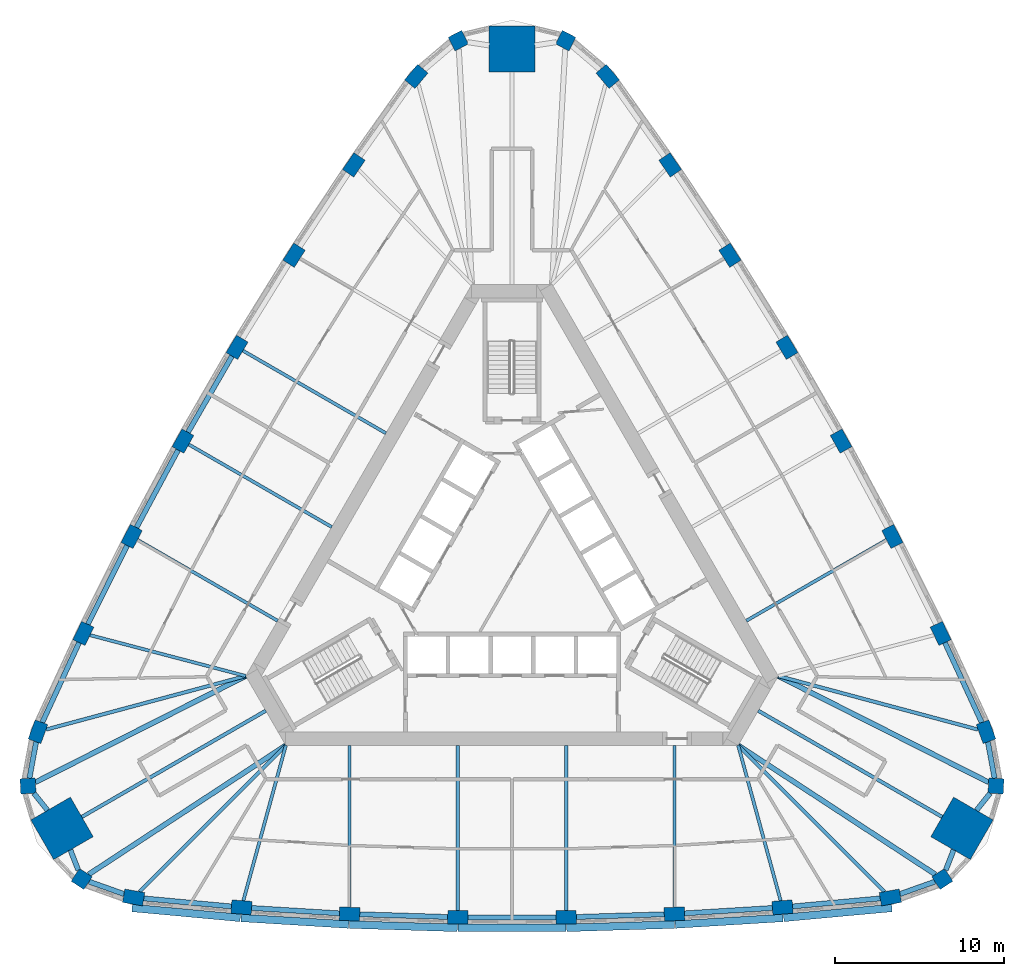
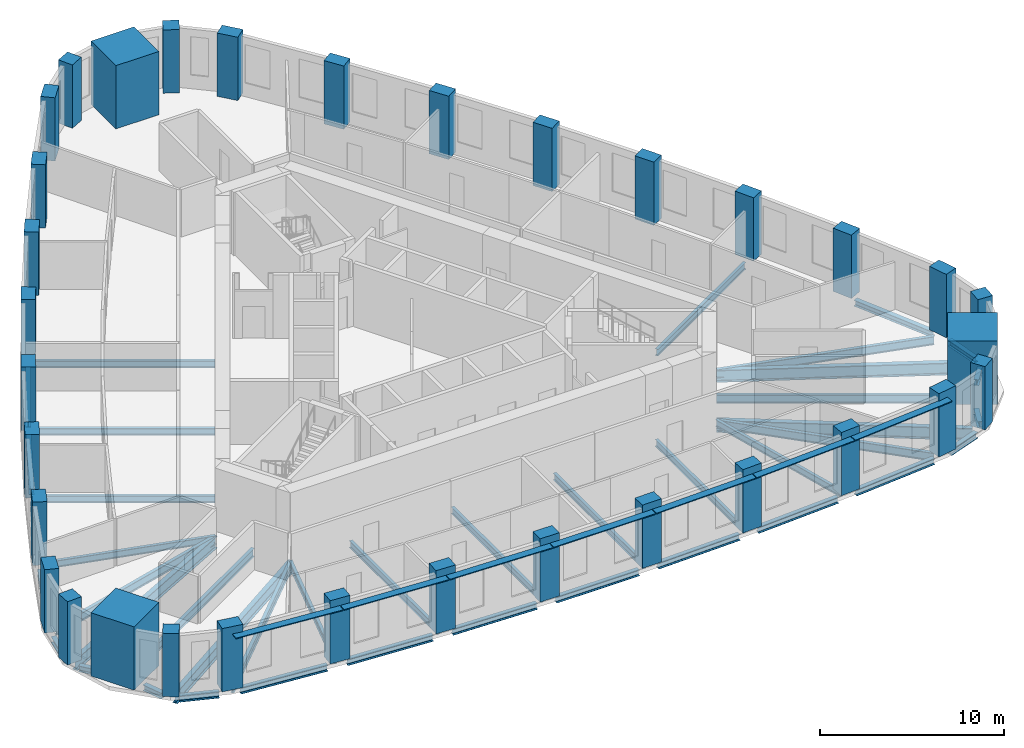
# One storey, part 1 of 10: 41 beams, 33 columns, 7 members.
"""IFC4 building model written with IfcOpenShell, lengths in metres."""

from ifc_helpers import new_model, si_unit, direction, frame, origin, origin_2d, place, context, subcontext, project, spatial, rectangle, i_section, extrude, material, material_profile, profile_set, type_object, element, save


model = new_model("IFC4")

# Units and contexts
model_context = context("Model", 3, precision=1e-05, world=origin(), true_north=direction((0.0, 1.0)))
body_context = subcontext(model_context, "Body", "Model", "MODEL_VIEW")
ifc_project = project(units=[si_unit("LENGTHUNIT", "METRE"), si_unit("AREAUNIT", "SQUARE_METRE"), si_unit("VOLUMEUNIT", "CUBIC_METRE"), si_unit("PLANEANGLEUNIT", "RADIAN"), si_unit("MASSUNIT", "GRAM", prefix="KILO")], contexts=[model_context])

# Site, building, storey
site_placement = place(None, origin())
site = spatial("IfcSite", under=ifc_project, at=site_placement, CompositionType="ELEMENT")
building_placement = place(site_placement, origin())
building = spatial("IfcBuilding", under=site, at=building_placement, Name="Mestral Congress Tower", CompositionType="ELEMENT")
storey_placement = place(building_placement, frame((0.0, 0.0, 158.39990234375)))
storey = spatial("IfcBuildingStorey", under=building, at=storey_placement, Name="L37", CompositionType="ELEMENT", Elevation=158.39990234375)

# Columns
ifc_material_1 = material(Name="Concrete C60/75", Category="concrete")
ifc_material_profile_1 = material_profile(ifc_material_1, rectangle(XDim=1.199951171875, YDim=0.800048828125, at=origin_2d()), Name="RC 1200x800")
ifc_profile_set_1 = profile_set([ifc_material_profile_1], Name="Concrete C60/75")
column_type_1 = type_object("IfcColumnType", Name="Column RC 1200x800 C60/75", PredefinedType="COLUMN", material=ifc_profile_set_1)
for number, where, z_axis, x_axis, name in (
    (1, (-22.357421875, -19.437255859375, 0.0), (0.0, 0.0, 1.0), (0.984571054206, -0.17498525429, 0.0), "COL-L37-C3-S00"),
    (2, (-15.984619140625, -20.0224609375, 0.0), (0.0, 0.0, 1.0), (0.997089725995, -0.076236987842, 0.0), "COL-L37-C3-S01"),
    (3, (-9.5966796875, -20.412841796875, 0.0), (0.0, 0.0, 1.0), (0.998951959915, -0.045770970953, 0.0), "COL-L37-C3-S02"),
    (4, (-3.199951171875, -20.608154296875, 0.0), (0.0, 0.0, 1.0), (0.999883524137, -0.015262311717, 0.0), "COL-L37-C3-S03"),
    (5, (3.199951171875, -20.608154296875, 0.0), (0.0, 0.0, 1.0), (0.999883524137, 0.015262311717, 0.0), "COL-L37-C3-S04"),
    (6, (9.5966796875, -20.412841796875, 0.0), (0.0, 0.0, 1.0), (0.998951959915, 0.045770970953, 0.0), "COL-L37-C3-S05"),
    (7, (15.984619140625, -20.0224609375, 0.0), (0.0, 0.0, 1.0), (0.997089725995, 0.076236987842, 0.0), "COL-L37-C3-S06"),
    (8, (22.357421875, -19.437255859375, 0.0), (0.0, 0.0, 1.0), (0.984571054206, 0.17498525429, 0.0), "COL-L37-C3-S07"),
    (9, (28.01171875, -9.6435546875, 0.0), (0.0, 0.0, 1.0), (-0.340743851601, 0.940156171918, 0.0), "COL-L37-C3-E00"),
    (10, (25.332275390625, -3.831787109375, 0.0), (0.0, 0.0, 1.0), (-0.432521694818, 0.901623526485, 0.0), "COL-L37-C3-E01"),
    (11, (22.476318359375, 1.8955078125, 0.0), (0.0, 0.0, 1.0), (-0.459837156356, 0.888003259923, 0.0), "COL-L37-C3-E02"),
    (12, (19.447265625, 7.532958984375, 0.0), (0.0, 0.0, 1.0), (-0.486724212401, 0.873555688587, 0.0), "COL-L37-C3-E03"),
    (13, (16.247314453125, 13.0751953125, 0.0), (0.0, 0.0, 1.0), (-0.513159311736, 0.85829337687, 0.0), "COL-L37-C3-E04"),
    (14, (12.8798828125, 18.517333984375, 0.0), (0.0, 0.0, 1.0), (-0.539114803559, 0.84223228897, 0.0), "COL-L37-C3-E05"),
    (15, (9.34765625, 23.854248046875, 0.0), (0.0, 0.0, 1.0), (-0.564568031177, 0.825386538643, 0.0), "COL-L37-C3-E06"),
    (16, (5.654296875, 29.080810546875, 0.0), (0.0, 0.0, 1.0), (-0.643827202606, 0.765170917629, 0.0), "COL-L37-C3-E07"),
    (17, (-5.654296875, 29.080810546875, 0.0), (0.0, 0.0, 1.0), (-0.643827202606, -0.765170917629, 0.0), "COL-L37-C3-W00"),
    (18, (-9.34765625, 23.854248046875, 0.0), (0.0, 0.0, 1.0), (-0.564568031177, -0.825386538643, 0.0), "COL-L37-C3-W01"),
    (19, (-12.8798828125, 18.517333984375, 0.0), (0.0, 0.0, 1.0), (-0.539114803559, -0.84223228897, 0.0), "COL-L37-C3-W02"),
    (20, (-16.247314453125, 13.0751953125, 0.0), (0.0, 0.0, 1.0), (-0.513159311736, -0.85829337687, 0.0), "COL-L37-C3-W03"),
    (21, (-19.447265625, 7.532958984375, 0.0), (0.0, 0.0, 1.0), (-0.486724212401, -0.873555688587, 0.0), "COL-L37-C3-W04"),
    (22, (-22.476318359375, 1.8955078125, 0.0), (0.0, 0.0, 1.0), (-0.459837156356, -0.888003259923, 0.0), "COL-L37-C3-W05"),
    (23, (-25.332275390625, -3.831787109375, 0.0), (0.0, 0.0, 1.0), (-0.432521694818, -0.901623526485, 0.0), "COL-L37-C3-W06"),
    (24, (-28.01171875, -9.6435546875, 0.0), (0.0, 0.0, 1.0), (-0.340743851601, -0.940156171918, 0.0), "COL-L37-C3-W07"),
):
    element("IfcColumn", number, at=place(storey_placement, frame(where, z_axis=z_axis, x_axis=x_axis)), inside=storey, type_object=column_type_1, Name=name, PredefinedType="COLUMN", context=body_context, shape_type="SweptSolid", body=[
        extrude(rectangle(XDim=1.199951171875, YDim=0.800048828125, at=origin_2d()), origin(), (0.0, 0.0, 1.0), 4.2001953125),
    ])
ifc_material_profile_2 = material_profile(ifc_material_1, rectangle(XDim=0.89990234375, YDim=0.89990234375, at=origin_2d()), Name="RC 900x900")
ifc_profile_set_2 = profile_set([ifc_material_profile_2], Name="Concrete C60/75")
column_type_2 = type_object("IfcColumnType", Name="Column RC 900x900 C60/75", PredefinedType="COLUMN", material=ifc_profile_set_2)
for number, where, z_axis, x_axis, name in (
    (25, (25.4296875, -18.34375, 0.0), (0.0, 0.0, 1.0), (0.838094050847, 0.545525766518, 0.0), "COL-L37-C3-SE1"),
    (26, (28.60107421875, -12.850830078125, 0.0), (0.0, 0.0, 1.0), (0.0533921468, 0.998573622053, 0.0), "COL-L37-C3-SE3"),
    (27, (3.17138671875, 31.194580078125, 0.0), (0.0, 0.0, 1.0), (-0.891486197647, 0.453047855535, 0.0), "COL-L37-C3-N1"),
    (28, (-3.17138671875, 31.194580078125, 0.0), (0.0, 0.0, 1.0), (-0.891486197647, -0.453047855535, 0.0), "COL-L37-C3-N3"),
    (29, (-28.60107421875, -12.850830078125, 0.0), (0.0, 0.0, 1.0), (0.0533921468, -0.998573622053, 0.0), "COL-L37-C3-SW1"),
    (30, (-25.4296875, -18.34375, 0.0), (0.0, 0.0, 1.0), (0.838094050847, -0.545525766518, 0.0), "COL-L37-C3-SW3"),
):
    element("IfcColumn", number, at=place(storey_placement, frame(where, z_axis=z_axis, x_axis=x_axis)), inside=storey, type_object=column_type_2, Name=name, PredefinedType="COLUMN", context=body_context, shape_type="SweptSolid", body=[
        extrude(rectangle(XDim=0.89990234375, YDim=0.89990234375, at=origin_2d()), origin(), (0.0, 0.0, 1.0), 4.2001953125),
    ])
ifc_material_2 = material(Name="Concrete C70/85", Category="concrete")
ifc_material_profile_3 = material_profile(ifc_material_2, rectangle(XDim=2.699951171875, YDim=2.699951171875, at=origin_2d()), Name="RC 2700x2700")
ifc_profile_set_3 = profile_set([ifc_material_profile_3], Name="Concrete C70/85")
column_type_3 = type_object("IfcColumnType", Name="Mega column RC 2700x2700 C70/85", PredefinedType="COLUMN", material=ifc_profile_set_3)
for number, where, z_axis, x_axis, name in (
    (31, (26.590576171875, -15.35205078125, 0.0), (0.0, 0.0, 1.0), (0.866025403784, -0.5, 0.0), "COL-L37-PY3-SE"),
    (32, (0.0, 30.7041015625, 0.0), (0.0, 0.0, 1.0), (0.0, 1.0, 0.0), "COL-L37-PY3-N"),
    (33, (-26.590576171875, -15.35205078125, 0.0), (0.0, 0.0, 1.0), (-0.866025403784, -0.5, 0.0), "COL-L37-PY3-SW"),
):
    element("IfcColumn", number, at=place(storey_placement, frame(where, z_axis=z_axis, x_axis=x_axis)), inside=storey, type_object=column_type_3, Name=name, PredefinedType="COLUMN", context=body_context, shape_type="SweptSolid", body=[
        extrude(rectangle(XDim=2.699951171875, YDim=2.699951171875, at=origin_2d()), origin(), (0.0, 0.0, 1.0), 4.2001953125),
    ])

# Members
ifc_material_3 = material(Name="Glazed ceramic", Category="masonry")
ifc_material_profile_4 = material_profile(ifc_material_3, rectangle(XDim=0.449951171875, YDim=0.06005859375, at=origin_2d()), Name="Ceramic blade 450 x 60")
ifc_profile_set_4 = profile_set([ifc_material_profile_4], Name="Glazed ceramic")
member_type = type_object("IfcMemberType", Name="Facade sunshade blade 450 x 60", PredefinedType="USERDEFINED", material=ifc_profile_set_4)
member_1_placement = place(storey_placement, frame((-22.451171875, -20.05615234375, 3.68017578125), z_axis=(0.995809919347, -0.091447277326, 0.0), x_axis=(0.091447277326, 0.995809919347, 0.0)))
element("IfcMember", 34, at=member_1_placement, inside=storey, type_object=member_type, Name="Sunshade F0-00", ObjectType="SUNSHADE", PredefinedType="USERDEFINED", context=body_context, shape_type="SweptSolid", body=[
    extrude(rectangle(XDim=0.449951171875, YDim=0.06005859375, at=origin_2d()), origin(), (0.0, 0.0, 1.0), 6.42333984375),
])
member_2_placement = place(storey_placement, frame((-16.009521484375, -20.647216796875, 3.68017578125), z_axis=(0.998138940399, -0.06098078107, 0.0), x_axis=(0.06098078107, 0.998138940399, 0.0)))
element("IfcMember", 35, at=member_2_placement, inside=storey, type_object=member_type, Name="Sunshade F0-01", ObjectType="SUNSHADE", PredefinedType="USERDEFINED", context=body_context, shape_type="SweptSolid", body=[
    extrude(rectangle(XDim=0.449951171875, YDim=0.06005859375, at=origin_2d()), origin(), (0.0, 0.0, 1.0), 6.373779296875),
])
for number, where, z_axis, x_axis, name in (
    (36, (-9.6025390625, -21.0380859375, 3.68017578125), (0.999535044007, -0.03049091343, 0.0), (0.03049091343, 0.999535044007, 0.0), "Sunshade F0-02"),
    (37, (-3.186767578125, -21.233154296875, 3.68017578125), (1.0, 0.0, 0.0), (0.0, 1.0, 0.0), "Sunshade F0-03"),
    (38, (3.23193359375, -21.232421875, 3.68017578125), (0.999535044007, 0.03049091343, 0.0), (-0.03049091343, 0.999535044007, 0.0), "Sunshade F0-04"),
):
    element("IfcMember", number, at=place(storey_placement, frame(where, z_axis=z_axis, x_axis=x_axis)), inside=storey, type_object=member_type, Name=name, ObjectType="SUNSHADE", PredefinedType="USERDEFINED", context=body_context, shape_type="SweptSolid", body=[
        extrude(rectangle(XDim=0.449951171875, YDim=0.06005859375, at=origin_2d()), origin(), (0.0, 0.0, 1.0), 6.37353515625),
    ])
member_3_placement = place(storey_placement, frame((9.647705078125, -21.035888671875, 3.68017578125), z_axis=(0.998138940399, 0.06098078107, 0.0), x_axis=(-0.06098078107, 0.998138940399, 0.0)))
element("IfcMember", 39, at=member_3_placement, inside=storey, type_object=member_type, Name="Sunshade F0-05", ObjectType="SUNSHADE", PredefinedType="USERDEFINED", context=body_context, shape_type="SweptSolid", body=[
    extrude(rectangle(XDim=0.449951171875, YDim=0.06005859375, at=origin_2d()), origin(), (0.0, 0.0, 1.0), 6.373779296875),
])
member_4_placement = place(storey_placement, frame((16.0546875, -20.6435546875, 3.68017578125), z_axis=(0.995809919347, 0.091447277326, 0.0), x_axis=(-0.091447277326, 0.995809919347, 0.0)))
element("IfcMember", 40, at=member_4_placement, inside=storey, type_object=member_type, Name="Sunshade F0-06", ObjectType="SUNSHADE", PredefinedType="USERDEFINED", context=body_context, shape_type="SweptSolid", body=[
    extrude(rectangle(XDim=0.449951171875, YDim=0.06005859375, at=origin_2d()), origin(), (0.0, 0.0, 1.0), 6.42333984375),
])

# Beams
ifc_material_4 = material(Name="Steel S355", Category="steel")
ifc_material_profile_5 = material_profile(ifc_material_4, i_section(OverallWidth=0.300048828125, OverallDepth=0.800048828125, WebThickness=0.017578125, FlangeThickness=0.032958984375, FilletRadius=0.030029296875, at=origin_2d()), Name="HEB 800")
ifc_profile_set_5 = profile_set([ifc_material_profile_5], Name="Steel S355")
beam_type_1 = type_object("IfcBeamType", Name="Floor beam HEB 800 S355", PredefinedType="BEAM", material=ifc_profile_set_5)
beam_1_placement = place(storey_placement, frame((25.018310546875, -18.07470703125, -0.64990234375), z_axis=(-0.836780237492, 0.547538888247, 0.0), x_axis=(-0.547538888247, -0.836780237492, 0.0)))
element("IfcBeam", 41, at=beam_1_placement, inside=storey, type_object=beam_type_1, Name="BM-L37-RB3-SE1", PredefinedType="BEAM", context=body_context, shape_type="SweptSolid", body=[
    extrude(i_section(OverallWidth=0.300048828125, OverallDepth=0.800048828125, WebThickness=0.017578125, FlangeThickness=0.032958984375, FilletRadius=0.030029296875, at=origin_2d()), origin(), (0.0, 0.0, 1.0), 13.925537109375),
])
for number, where, z_axis, x_axis, name in (
    (42, (28.162109375, -12.629150390625, -0.64990234375), (-0.892568118133, 0.450912579656, 0.0), (-0.450912579656, -0.892568118133, 0.0), "BM-L37-RB3-SE3"),
    (43, (-28.162109375, -12.629150390625, -0.64990234375), (0.892568118133, 0.450912579656, 0.0), (-0.450912579656, 0.892568118133, 0.0), "BM-L37-RB3-SW1"),
):
    element("IfcBeam", number, at=place(storey_placement, frame(where, z_axis=z_axis, x_axis=x_axis)), inside=storey, type_object=beam_type_1, Name=name, PredefinedType="BEAM", context=body_context, shape_type="SweptSolid", body=[
        extrude(i_section(OverallWidth=0.300048828125, OverallDepth=0.800048828125, WebThickness=0.017578125, FlangeThickness=0.032958984375, FilletRadius=0.030029296875, at=origin_2d()), origin(), (0.0, 0.0, 1.0), 13.92529296875),
    ])
beam_2_placement = place(storey_placement, frame((-25.018310546875, -18.07470703125, -0.64990234375), z_axis=(0.836780237492, 0.547538888247, 0.0), x_axis=(-0.547538888247, 0.836780237492, 0.0)))
element("IfcBeam", 44, at=beam_2_placement, inside=storey, type_object=beam_type_1, Name="BM-L37-RB3-SW3", PredefinedType="BEAM", context=body_context, shape_type="SweptSolid", body=[
    extrude(i_section(OverallWidth=0.300048828125, OverallDepth=0.800048828125, WebThickness=0.017578125, FlangeThickness=0.032958984375, FilletRadius=0.030029296875, at=origin_2d()), origin(), (0.0, 0.0, 1.0), 13.925537109375),
])
ifc_material_profile_6 = material_profile(ifc_material_4, i_section(OverallWidth=0.18994140625, OverallDepth=0.449951171875, WebThickness=0.009521484375, FlangeThickness=0.0146484375, FilletRadius=0.02099609375, at=origin_2d()), Name="IPE 450")
ifc_profile_set_6 = profile_set([ifc_material_profile_6], Name="Steel S355")
beam_type_2 = type_object("IfcBeamType", Name="Floor beam IPE 450 S355", PredefinedType="BEAM", material=ifc_profile_set_6)
beam_3_placement = place(storey_placement, frame((-15.876953125, -19.62939453125, -0.474853515625), z_axis=(0.263874900873, 0.964556912105, 0.0), x_axis=(-0.964556912105, 0.263874900873, 0.0)))
element("IfcBeam", 45, at=beam_3_placement, inside=storey, type_object=beam_type_2, Name="BM-L37-RB3-S01", PredefinedType="BEAM", context=body_context, shape_type="SweptSolid", body=[
    extrude(i_section(OverallWidth=0.18994140625, OverallDepth=0.449951171875, WebThickness=0.009521484375, FlangeThickness=0.0146484375, FilletRadius=0.02099609375, at=origin_2d()), origin(), (0.0, 0.0, 1.0), 9.516845703125),
])
beam_4_placement = place(storey_placement, frame((-9.5966796875, -20.012451171875, -0.474853515625), z_axis=(0.0, 1.0, 0.0), x_axis=(-1.0, 0.0, 0.0)))
element("IfcBeam", 46, at=beam_4_placement, inside=storey, type_object=beam_type_2, Name="BM-L37-RB3-S02", PredefinedType="BEAM", context=body_context, shape_type="SweptSolid", body=[
    extrude(i_section(OverallWidth=0.18994140625, OverallDepth=0.449951171875, WebThickness=0.009521484375, FlangeThickness=0.0146484375, FilletRadius=0.02099609375, at=origin_2d()), origin(), (0.0, 0.0, 1.0), 9.5625),
])
for number, where, z_axis, x_axis, name in (
    (47, (-3.199951171875, -20.208251953125, -0.474853515625), (0.0, 1.0, 0.0), (-1.0, 0.0, 0.0), "BM-L37-RB3-S03"),
    (48, (3.199951171875, -20.208251953125, -0.474853515625), (0.0, 1.0, 0.0), (-1.0, 0.0, 0.0), "BM-L37-RB3-S04"),
):
    element("IfcBeam", number, at=place(storey_placement, frame(where, z_axis=z_axis, x_axis=x_axis)), inside=storey, type_object=beam_type_2, Name=name, PredefinedType="BEAM", context=body_context, shape_type="SweptSolid", body=[
        extrude(i_section(OverallWidth=0.18994140625, OverallDepth=0.449951171875, WebThickness=0.009521484375, FlangeThickness=0.0146484375, FilletRadius=0.02099609375, at=origin_2d()), origin(), (0.0, 0.0, 1.0), 9.75830078125),
    ])
beam_5_placement = place(storey_placement, frame((9.5966796875, -20.012451171875, -0.474853515625), z_axis=(0.0, 1.0, 0.0), x_axis=(-1.0, 0.0, 0.0)))
element("IfcBeam", 49, at=beam_5_placement, inside=storey, type_object=beam_type_2, Name="BM-L37-RB3-S05", PredefinedType="BEAM", context=body_context, shape_type="SweptSolid", body=[
    extrude(i_section(OverallWidth=0.18994140625, OverallDepth=0.449951171875, WebThickness=0.009521484375, FlangeThickness=0.0146484375, FilletRadius=0.02099609375, at=origin_2d()), origin(), (0.0, 0.0, 1.0), 9.5625),
])
beam_6_placement = place(storey_placement, frame((15.876953125, -19.62939453125, -0.474853515625), z_axis=(-0.263874900873, 0.964556912105, 0.0), x_axis=(-0.964556912105, -0.263874900873, 0.0)))
element("IfcBeam", 50, at=beam_6_placement, inside=storey, type_object=beam_type_2, Name="BM-L37-RB3-S06", PredefinedType="BEAM", context=body_context, shape_type="SweptSolid", body=[
    extrude(i_section(OverallWidth=0.18994140625, OverallDepth=0.449951171875, WebThickness=0.009521484375, FlangeThickness=0.0146484375, FilletRadius=0.02099609375, at=origin_2d()), origin(), (0.0, 0.0, 1.0), 9.516845703125),
])
beam_7_placement = place(storey_placement, frame((22.129638671875, 1.6953125, -0.474853515625), z_axis=(-0.866022320763, -0.500005339912, 0.0), x_axis=(0.500005339912, -0.866022320763, 0.0)))
element("IfcBeam", 51, at=beam_7_placement, inside=storey, type_object=beam_type_2, Name="BM-L37-RB3-E02", PredefinedType="BEAM", context=body_context, shape_type="SweptSolid", body=[
    extrude(i_section(OverallWidth=0.18994140625, OverallDepth=0.449951171875, WebThickness=0.009521484375, FlangeThickness=0.0146484375, FilletRadius=0.02099609375, at=origin_2d()), origin(), (0.0, 0.0, 1.0), 9.5625),
])
beam_8_placement = place(storey_placement, frame((-15.90087890625, 12.875244140625, -0.474853515625), z_axis=(0.866025182435, -0.500000383388, 0.0), x_axis=(0.500000383388, 0.866025182435, 0.0)))
element("IfcBeam", 52, at=beam_8_placement, inside=storey, type_object=beam_type_2, Name="BM-L37-RB3-W03", PredefinedType="BEAM", context=body_context, shape_type="SweptSolid", body=[
    extrude(i_section(OverallWidth=0.18994140625, OverallDepth=0.449951171875, WebThickness=0.009521484375, FlangeThickness=0.0146484375, FilletRadius=0.02099609375, at=origin_2d()), origin(), (0.0, 0.0, 1.0), 9.75830078125),
])
beam_9_placement = place(storey_placement, frame((-19.100830078125, 7.332763671875, -0.474853515625), z_axis=(0.866036015824, -0.499981618958, 0.0), x_axis=(0.499981618958, 0.866036015824, 0.0)))
element("IfcBeam", 53, at=beam_9_placement, inside=storey, type_object=beam_type_2, Name="BM-L37-RB3-W04", PredefinedType="BEAM", context=body_context, shape_type="SweptSolid", body=[
    extrude(i_section(OverallWidth=0.18994140625, OverallDepth=0.449951171875, WebThickness=0.009521484375, FlangeThickness=0.0146484375, FilletRadius=0.02099609375, at=origin_2d()), origin(), (0.0, 0.0, 1.0), 9.758056640625),
])
beam_10_placement = place(storey_placement, frame((-22.129638671875, 1.6953125, -0.474853515625), z_axis=(0.866022320763, -0.500005339912, 0.0), x_axis=(0.500005339912, 0.866022320763, 0.0)))
element("IfcBeam", 54, at=beam_10_placement, inside=storey, type_object=beam_type_2, Name="BM-L37-RB3-W05", PredefinedType="BEAM", context=body_context, shape_type="SweptSolid", body=[
    extrude(i_section(OverallWidth=0.18994140625, OverallDepth=0.449951171875, WebThickness=0.009521484375, FlangeThickness=0.0146484375, FilletRadius=0.02099609375, at=origin_2d()), origin(), (0.0, 0.0, 1.0), 9.5625),
])
beam_11_placement = place(storey_placement, frame((-24.938232421875, -3.93505859375, -0.474853515625), z_axis=(0.967265999603, -0.253764627187, 0.0), x_axis=(0.253764627187, 0.967265999603, 0.0)))
element("IfcBeam", 55, at=beam_11_placement, inside=storey, type_object=beam_type_2, Name="BM-L37-RB3-W06", PredefinedType="BEAM", context=body_context, shape_type="SweptSolid", body=[
    extrude(i_section(OverallWidth=0.18994140625, OverallDepth=0.449951171875, WebThickness=0.009521484375, FlangeThickness=0.0146484375, FilletRadius=0.02099609375, at=origin_2d()), origin(), (0.0, 0.0, 1.0), 9.516845703125),
])
ifc_material_profile_7 = material_profile(ifc_material_4, i_section(OverallWidth=0.2099609375, OverallDepth=0.550048828125, WebThickness=0.010986328125, FlangeThickness=0.01708984375, FilletRadius=0.02392578125, at=origin_2d()), Name="IPE 550")
ifc_profile_set_7 = profile_set([ifc_material_profile_7], Name="Steel S355")
beam_type_3 = type_object("IfcBeamType", Name="Floor beam IPE 550 S355", PredefinedType="BEAM", material=ifc_profile_set_7)
for number, where, z_axis, x_axis, name in (
    (56, (-22.01220703125, -19.09228515625, -0.52490234375), (0.707276510369, 0.706937011254, 0.0), (-0.706937011254, 0.707276510369, 0.0), "BM-L37-RB3-S00"),
    (57, (22.01220703125, -19.09228515625, -0.52490234375), (-0.707276510369, 0.706937011254, 0.0), (-0.706937011254, -0.707276510369, 0.0), "BM-L37-RB3-S07"),
):
    element("IfcBeam", number, at=place(storey_placement, frame(where, z_axis=z_axis, x_axis=x_axis)), inside=storey, type_object=beam_type_3, Name=name, PredefinedType="BEAM", context=body_context, shape_type="SweptSolid", body=[
        extrude(i_section(OverallWidth=0.2099609375, OverallDepth=0.550048828125, WebThickness=0.010986328125, FlangeThickness=0.01708984375, FilletRadius=0.02392578125, at=origin_2d()), origin(), (0.0, 0.0, 1.0), 12.22509765625),
    ])
beam_12_placement = place(storey_placement, frame((25.42138671875, -14.677001953125, -0.52490234375), z_axis=(-0.866034999462, 0.49998337943, 0.0), x_axis=(-0.49998337943, -0.866034999462, 0.0)))
element("IfcBeam", 58, at=beam_12_placement, inside=storey, type_object=beam_type_3, Name="BM-L37-RB3-SE", PredefinedType="BEAM", context=body_context, shape_type="SweptSolid", body=[
    extrude(i_section(OverallWidth=0.2099609375, OverallDepth=0.550048828125, WebThickness=0.010986328125, FlangeThickness=0.01708984375, FilletRadius=0.02392578125, at=origin_2d()), origin(), (0.0, 0.0, 1.0), 12.55419921875),
])
for number, where, z_axis, x_axis, name in (
    (59, (27.54052734375, -9.51708984375, -0.52490234375), (-0.965861364708, 0.259059499276, 0.0), (-0.259059499276, -0.965861364708, 0.0), "BM-L37-RB3-E00"),
    (60, (-27.54052734375, -9.51708984375, -0.52490234375), (0.965861364708, 0.259059499276, 0.0), (-0.259059499276, 0.965861364708, 0.0), "BM-L37-RB3-W07"),
):
    element("IfcBeam", number, at=place(storey_placement, frame(where, z_axis=z_axis, x_axis=x_axis)), inside=storey, type_object=beam_type_3, Name=name, PredefinedType="BEAM", context=body_context, shape_type="SweptSolid", body=[
        extrude(i_section(OverallWidth=0.2099609375, OverallDepth=0.550048828125, WebThickness=0.010986328125, FlangeThickness=0.01708984375, FilletRadius=0.02392578125, at=origin_2d()), origin(), (0.0, 0.0, 1.0), 12.224853515625),
    ])
beam_13_placement = place(storey_placement, frame((-25.42138671875, -14.677001953125, -0.52490234375), z_axis=(0.866034999462, 0.49998337943, 0.0), x_axis=(-0.49998337943, 0.866034999462, 0.0)))
element("IfcBeam", 61, at=beam_13_placement, inside=storey, type_object=beam_type_3, Name="BM-L37-RB3-SW", PredefinedType="BEAM", context=body_context, shape_type="SweptSolid", body=[
    extrude(i_section(OverallWidth=0.2099609375, OverallDepth=0.550048828125, WebThickness=0.010986328125, FlangeThickness=0.01708984375, FilletRadius=0.02392578125, at=origin_2d()), origin(), (0.0, 0.0, 1.0), 12.55419921875),
])
ifc_material_profile_8 = material_profile(ifc_material_4, i_section(OverallWidth=0.300048828125, OverallDepth=0.389892578125, WebThickness=0.010986328125, FlangeThickness=0.01904296875, FilletRadius=0.027099609375, at=origin_2d()), Name="HEA 400")
ifc_profile_set_8 = profile_set([ifc_material_profile_8], Name="Steel S355")
beam_type_4 = type_object("IfcBeamType", Name="Spandrel beam HEA 400 S355", PredefinedType="BEAM", material=ifc_profile_set_8)
beam_14_placement = place(storey_placement, frame((-21.7578125, -19.4921875, -0.44482421875), z_axis=(0.995809233617, -0.091454744238, 0.0), x_axis=(0.091454744238, 0.995809233617, 0.0)))
element("IfcBeam", 62, at=beam_14_placement, inside=storey, type_object=beam_type_4, Name="SP-L37-SB3-S00", PredefinedType="BEAM", context=body_context, shape_type="SweptSolid", body=[
    extrude(i_section(OverallWidth=0.300048828125, OverallDepth=0.389892578125, WebThickness=0.010986328125, FlangeThickness=0.01904296875, FilletRadius=0.027099609375, at=origin_2d()), origin(), (0.0, 0.0, 1.0), 5.197509765625),
])
beam_15_placement = place(storey_placement, frame((-15.385498046875, -20.05908203125, -0.44482421875), z_axis=(0.998138215809, -0.060992640057, 0.0), x_axis=(0.060992640057, 0.998138215809, 0.0)))
element("IfcBeam", 63, at=beam_15_placement, inside=storey, type_object=beam_type_4, Name="SP-L37-SB3-S01", PredefinedType="BEAM", context=body_context, shape_type="SweptSolid", body=[
    extrude(i_section(OverallWidth=0.300048828125, OverallDepth=0.389892578125, WebThickness=0.010986328125, FlangeThickness=0.01904296875, FilletRadius=0.027099609375, at=origin_2d()), origin(), (0.0, 0.0, 1.0), 5.19970703125),
])
beam_16_placement = place(storey_placement, frame((-8.996826171875, -20.43115234375, -0.44482421875), z_axis=(0.999534130554, -0.030520842996, 0.0), x_axis=(0.030520842996, 0.999534130554, 0.0)))
element("IfcBeam", 64, at=beam_16_placement, inside=storey, type_object=beam_type_4, Name="SP-L37-SB3-S02", PredefinedType="BEAM", context=body_context, shape_type="SweptSolid", body=[
    extrude(i_section(OverallWidth=0.300048828125, OverallDepth=0.389892578125, WebThickness=0.010986328125, FlangeThickness=0.01904296875, FilletRadius=0.027099609375, at=origin_2d()), origin(), (0.0, 0.0, 1.0), 5.199462890625),
])
beam_17_placement = place(storey_placement, frame((-2.599853515625, -20.608154296875, -0.44482421875), z_axis=(1.0, 0.0, 0.0), x_axis=(0.0, 1.0, 0.0)))
element("IfcBeam", 65, at=beam_17_placement, inside=storey, type_object=beam_type_4, Name="SP-L37-SB3-S03", PredefinedType="BEAM", context=body_context, shape_type="SweptSolid", body=[
    extrude(i_section(OverallWidth=0.300048828125, OverallDepth=0.389892578125, WebThickness=0.010986328125, FlangeThickness=0.01904296875, FilletRadius=0.027099609375, at=origin_2d()), origin(), (0.0, 0.0, 1.0), 5.19970703125),
])
beam_18_placement = place(storey_placement, frame((3.7998046875, -20.58984375, -0.44482421875), z_axis=(0.999534130554, 0.030520842996, 0.0), x_axis=(-0.030520842996, 0.999534130554, 0.0)))
element("IfcBeam", 66, at=beam_18_placement, inside=storey, type_object=beam_type_4, Name="SP-L37-SB3-S04", PredefinedType="BEAM", context=body_context, shape_type="SweptSolid", body=[
    extrude(i_section(OverallWidth=0.300048828125, OverallDepth=0.389892578125, WebThickness=0.010986328125, FlangeThickness=0.01904296875, FilletRadius=0.027099609375, at=origin_2d()), origin(), (0.0, 0.0, 1.0), 5.199462890625),
])
beam_19_placement = place(storey_placement, frame((10.195556640625, -20.376220703125, -0.44482421875), z_axis=(0.998138215809, 0.060992640057, 0.0), x_axis=(-0.060992640057, 0.998138215809, 0.0)))
element("IfcBeam", 67, at=beam_19_placement, inside=storey, type_object=beam_type_4, Name="SP-L37-SB3-S05", PredefinedType="BEAM", context=body_context, shape_type="SweptSolid", body=[
    extrude(i_section(OverallWidth=0.300048828125, OverallDepth=0.389892578125, WebThickness=0.010986328125, FlangeThickness=0.01904296875, FilletRadius=0.027099609375, at=origin_2d()), origin(), (0.0, 0.0, 1.0), 5.19970703125),
])
beam_20_placement = place(storey_placement, frame((16.58203125, -19.967529296875, -0.44482421875), z_axis=(0.995809233617, 0.091454744238, 0.0), x_axis=(-0.091454744238, 0.995809233617, 0.0)))
element("IfcBeam", 68, at=beam_20_placement, inside=storey, type_object=beam_type_4, Name="SP-L37-SB3-S06", PredefinedType="BEAM", context=body_context, shape_type="SweptSolid", body=[
    extrude(i_section(OverallWidth=0.300048828125, OverallDepth=0.389892578125, WebThickness=0.010986328125, FlangeThickness=0.01904296875, FilletRadius=0.027099609375, at=origin_2d()), origin(), (0.0, 0.0, 1.0), 5.197509765625),
])
beam_21_placement = place(storey_placement, frame((22.9306640625, -19.233154296875, -0.44482421875), z_axis=(0.942124718118, 0.33526260679, 0.0), x_axis=(-0.33526260679, 0.942124718118, 0.0)))
element("IfcBeam", 69, at=beam_21_placement, inside=storey, type_object=beam_type_4, Name="SP-L37-SB3-S07", PredefinedType="BEAM", context=body_context, shape_type="SweptSolid", body=[
    extrude(i_section(OverallWidth=0.300048828125, OverallDepth=0.389892578125, WebThickness=0.010986328125, FlangeThickness=0.01904296875, FilletRadius=0.027099609375, at=origin_2d()), origin(), (0.0, 0.0, 1.0), 2.189697265625),
])
for number, where, z_axis, x_axis, name in (
    (70, (25.630126953125, -17.826904296875, -0.44482421875), (0.361897583915, 0.932217860136, 0.0), (-0.932217860136, 0.361897583915, 0.0), "SP-L37-SB3-SE1"),
    (71, (27.446533203125, -14.287353515625, -0.44482421875), (0.626403443736, 0.779499022242, 0.0), (-0.779499022242, 0.626403443736, 0.0), "SP-L37-SB3-SE"),
):
    element("IfcBeam", number, at=place(storey_placement, frame(where, z_axis=z_axis, x_axis=x_axis)), inside=storey, type_object=beam_type_4, Name=name, PredefinedType="BEAM", context=body_context, shape_type="SweptSolid", body=[
        extrude(i_section(OverallWidth=0.300048828125, OverallDepth=0.389892578125, WebThickness=0.010986328125, FlangeThickness=0.01904296875, FilletRadius=0.027099609375, at=origin_2d()), origin(), (0.0, 0.0, 1.0), 1.28857421875),
    ])
beam_22_placement = place(storey_placement, frame((28.517333984375, -12.395751953125, -0.44482421875), z_axis=(-0.18061190167, 0.983554442304, 0.0), x_axis=(-0.983554442304, -0.18061190167, 0.0)))
element("IfcBeam", 72, at=beam_22_placement, inside=storey, type_object=beam_type_4, Name="SP-L37-SB3-SE3", PredefinedType="BEAM", context=body_context, shape_type="SweptSolid", body=[
    extrude(i_section(OverallWidth=0.300048828125, OverallDepth=0.389892578125, WebThickness=0.010986328125, FlangeThickness=0.01904296875, FilletRadius=0.027099609375, at=origin_2d()), origin(), (0.0, 0.0, 1.0), 2.18994140625),
])
beam_23_placement = place(storey_placement, frame((27.759765625, -9.0966796875, -0.44482421875), z_axis=(-0.418712613032, 0.908118796022, 0.0), x_axis=(-0.908118796022, -0.418712613032, 0.0)))
element("IfcBeam", 73, at=beam_23_placement, inside=storey, type_object=beam_type_4, Name="SP-L37-SB3-E00", PredefinedType="BEAM", context=body_context, shape_type="SweptSolid", body=[
    extrude(i_section(OverallWidth=0.300048828125, OverallDepth=0.389892578125, WebThickness=0.010986328125, FlangeThickness=0.01904296875, FilletRadius=0.027099609375, at=origin_2d()), origin(), (0.0, 0.0, 1.0), 5.197509765625),
])
for number, where, z_axis, x_axis, name in (
    (74, (-16.54736328125, 12.5556640625, -0.44482421875), (-0.499992051641, -0.866029992723, 0.0), (0.866029992723, -0.499992051641, 0.0), "SP-L37-SB3-W03"),
    (75, (-19.731201171875, 7.00439453125, -0.44482421875), (-0.473332458078, -0.880883865291, 0.0), (0.880883865291, -0.473332458078, 0.0), "SP-L37-SB3-W04"),
):
    element("IfcBeam", number, at=place(storey_placement, frame(where, z_axis=z_axis, x_axis=x_axis)), inside=storey, type_object=beam_type_4, Name=name, PredefinedType="BEAM", context=body_context, shape_type="SweptSolid", body=[
        extrude(i_section(OverallWidth=0.300048828125, OverallDepth=0.389892578125, WebThickness=0.010986328125, FlangeThickness=0.01904296875, FilletRadius=0.027099609375, at=origin_2d()), origin(), (0.0, 0.0, 1.0), 5.19970703125),
    ])
beam_24_placement = place(storey_placement, frame((-22.744140625, 1.3583984375, -0.44482421875), z_axis=(-0.446255467462, -0.894905613884, 0.0), x_axis=(0.894905613884, -0.446255467462, 0.0)))
element("IfcBeam", 76, at=beam_24_placement, inside=storey, type_object=beam_type_4, Name="SP-L37-SB3-W05", PredefinedType="BEAM", context=body_context, shape_type="SweptSolid", body=[
    extrude(i_section(OverallWidth=0.300048828125, OverallDepth=0.389892578125, WebThickness=0.010986328125, FlangeThickness=0.01904296875, FilletRadius=0.027099609375, at=origin_2d()), origin(), (0.0, 0.0, 1.0), 5.199462890625),
])
beam_25_placement = place(storey_placement, frame((-25.58349609375, -4.376708984375, -0.44482421875), z_axis=(-0.418712613032, -0.908118796022, 0.0), x_axis=(0.908118796022, -0.418712613032, 0.0)))
element("IfcBeam", 77, at=beam_25_placement, inside=storey, type_object=beam_type_4, Name="SP-L37-SB3-W06", PredefinedType="BEAM", context=body_context, shape_type="SweptSolid", body=[
    extrude(i_section(OverallWidth=0.300048828125, OverallDepth=0.389892578125, WebThickness=0.010986328125, FlangeThickness=0.01904296875, FilletRadius=0.027099609375, at=origin_2d()), origin(), (0.0, 0.0, 1.0), 5.197509765625),
])
beam_26_placement = place(storey_placement, frame((-28.121826171875, -10.241943359375, -0.44482421875), z_axis=(-0.18061190167, -0.983554442304, 0.0), x_axis=(0.983554442304, -0.18061190167, 0.0)))
element("IfcBeam", 78, at=beam_26_placement, inside=storey, type_object=beam_type_4, Name="SP-L37-SB3-W07", PredefinedType="BEAM", context=body_context, shape_type="SweptSolid", body=[
    extrude(i_section(OverallWidth=0.300048828125, OverallDepth=0.389892578125, WebThickness=0.010986328125, FlangeThickness=0.01904296875, FilletRadius=0.027099609375, at=origin_2d()), origin(), (0.0, 0.0, 1.0), 2.18994140625),
])
for number, where, z_axis, x_axis, name in (
    (79, (-28.253662109375, -13.282958984375, -0.44482421875), (0.626403443736, -0.779499022242, 0.0), (0.779499022242, 0.626403443736, 0.0), "SP-L37-SB3-SW1"),
    (80, (-26.096435546875, -16.625732421875, -0.44482421875), (0.361897583915, -0.932217860136, 0.0), (0.932217860136, 0.361897583915, 0.0), "SP-L37-SB3-SW"),
):
    element("IfcBeam", number, at=place(storey_placement, frame(where, z_axis=z_axis, x_axis=x_axis)), inside=storey, type_object=beam_type_4, Name=name, PredefinedType="BEAM", context=body_context, shape_type="SweptSolid", body=[
        extrude(i_section(OverallWidth=0.300048828125, OverallDepth=0.389892578125, WebThickness=0.010986328125, FlangeThickness=0.01904296875, FilletRadius=0.027099609375, at=origin_2d()), origin(), (0.0, 0.0, 1.0), 1.28857421875),
    ])
beam_27_placement = place(storey_placement, frame((-24.99365234375, -18.4990234375, -0.44482421875), z_axis=(0.942124718118, -0.33526260679, 0.0), x_axis=(0.33526260679, 0.942124718118, 0.0)))
element("IfcBeam", 81, at=beam_27_placement, inside=storey, type_object=beam_type_4, Name="SP-L37-SB3-SW3", PredefinedType="BEAM", context=body_context, shape_type="SweptSolid", body=[
    extrude(i_section(OverallWidth=0.300048828125, OverallDepth=0.389892578125, WebThickness=0.010986328125, FlangeThickness=0.01904296875, FilletRadius=0.027099609375, at=origin_2d()), origin(), (0.0, 0.0, 1.0), 2.189697265625),
])

save(model, "model.ifc")
